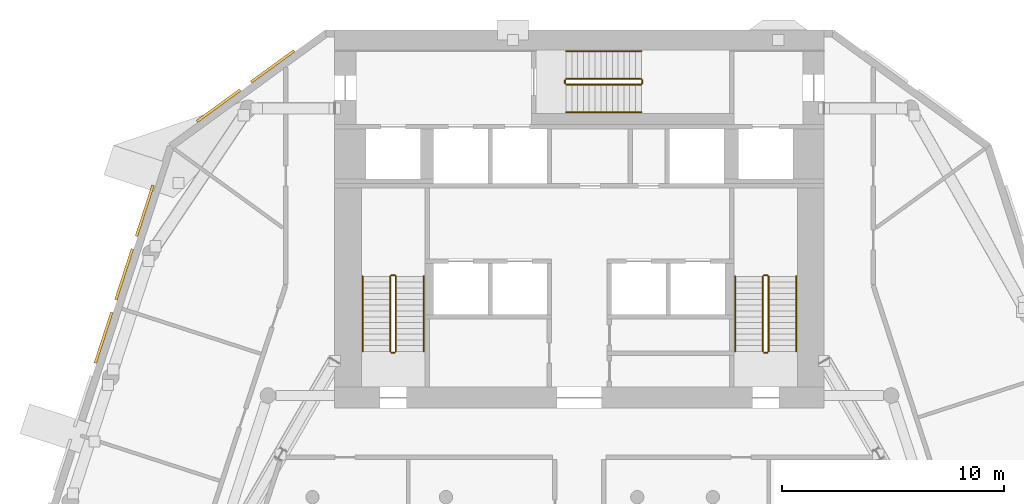
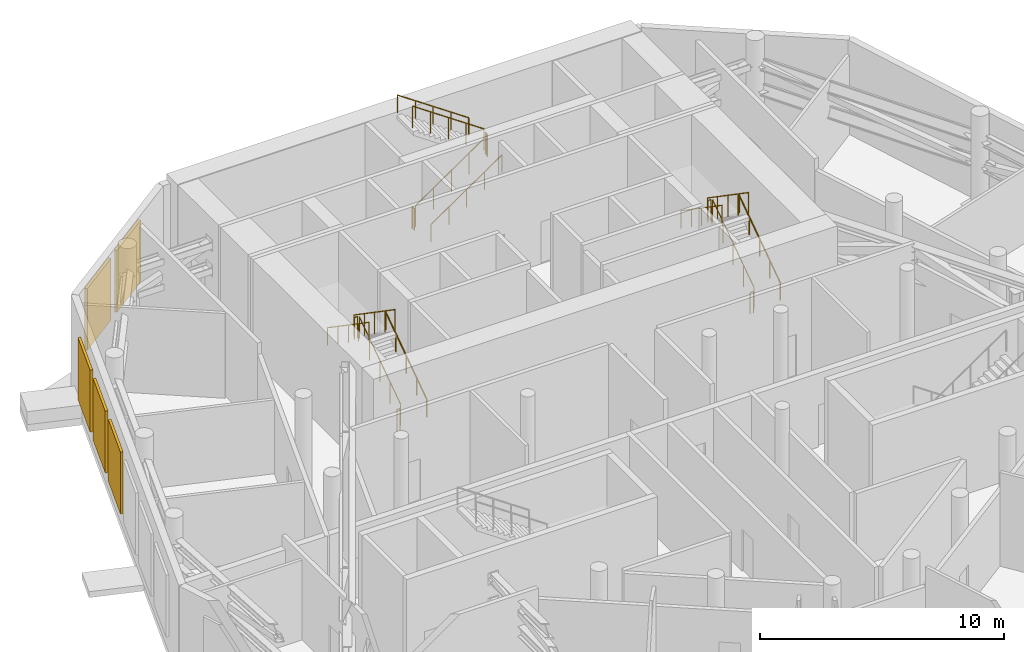
# One storey, part 16 of 17: 18 railings, 5 shading devices.
"""IFC4 building model written with IfcOpenShell, lengths in metres."""

from ifc_helpers import new_model, si_unit, direction, frame, origin, origin_2d, place, context, subcontext, project, spatial, rectangle, circle, extrude, material, type_object, element, save


model = new_model("IFC4")

# Units and contexts
model_context = context("Model", 3, precision=1e-05, world=origin(), true_north=direction((0.0, 1.0)))
body_context = subcontext(model_context, "Body", "Model", "MODEL_VIEW")
ifc_project = project(units=[si_unit("LENGTHUNIT", "METRE"), si_unit("AREAUNIT", "SQUARE_METRE"), si_unit("VOLUMEUNIT", "CUBIC_METRE"), si_unit("PLANEANGLEUNIT", "RADIAN"), si_unit("MASSUNIT", "GRAM", prefix="KILO")], contexts=[model_context])

# Site, building, storey
site_placement = place(None, origin())
site = spatial("IfcSite", under=ifc_project, at=site_placement, CompositionType="ELEMENT")
building_placement = place(site_placement, origin())
building = spatial("IfcBuilding", under=site, at=building_placement, Name="White Candle Pilgrim Tower", CompositionType="ELEMENT")
storey_placement = place(building_placement, frame((0.0, 0.0, 191.5)))
storey = spatial("IfcBuildingStorey", under=building, at=storey_placement, Name="L44", CompositionType="ELEMENT", Elevation=191.5)

# Shading devices
ifc_material_1 = material(Name="Aluminium", Category="aluminium")
shading_device_type = type_object("IfcShadingDeviceType", Name="Plant louvre LV2 2400x3100 aluminium framed", PredefinedType="USERDEFINED", material=ifc_material_1)
for number, where, z_axis, x_axis, name in (
    (1, (56.207763671875, 86.363037109375, 0.800048828125), (0.0, 0.0, 1.0), (-0.809016977725, -0.587785275209, 0.0), "Plant louvre L44 NW chamfer 1"),
    (2, (53.78076171875, 84.599609375, 0.800048828125), (0.0, 0.0, 1.0), (-0.809016977725, -0.587785275209, 0.0), "Plant louvre L44 NW chamfer 2"),
    (3, (50.460205078125, 79.87158203125, 0.800048828125), (0.0, 0.0, 1.0), (-0.309017016385, -0.951056509144, 0.0), "Plant louvre L44 WNW 1"),
    (4, (49.533203125, 77.0185546875, 0.800048828125), (0.0, 0.0, 1.0), (-0.309017016385, -0.951056509144, 0.0), "Plant louvre L44 WNW 2"),
    (5, (48.60595703125, 74.165283203125, 0.800048828125), (0.0, 0.0, 1.0), (-0.309017016385, -0.951056509144, 0.0), "Plant louvre L44 WNW 3"),
):
    element("IfcShadingDevice", number, at=place(storey_placement, frame(where, z_axis=z_axis, x_axis=x_axis)), inside=storey, type_object=shading_device_type, Name=name, ObjectType="LOUVRE", PredefinedType="USERDEFINED", context=body_context, shape_type="SweptSolid", body=[
        extrude(rectangle(XDim=2.39990234375, YDim=0.1201171875, at=origin_2d()), origin(), (0.0, 0.0, 1.0), 3.10009765625),
    ])

# Railings
ifc_material_2 = material(Name="Stainless steel", Category="steel")
railing_type_1 = type_object("IfcRailingType", Name="Stair guard stainless steel 1100 mm", PredefinedType="GUARDRAIL", material=ifc_material_2)
railing_1_placement = place(storey_placement, frame((61.75, 73.550048828125, 0.178466796875)))
element("IfcRailing", 6, at=railing_1_placement, inside=storey, type_object=railing_type_1, Name="L44 ST1 stair guard 1", PredefinedType="GUARDRAIL", context=body_context, shape_type="SweptSolid", body=[
    extrude(circle(Radius=0.02392578125, at=origin_2d()), frame((0.0, 0.0, 1.076171875), z_axis=(0.0, 0.824285065979, 0.566174999451), x_axis=(-1.0, 0.0, 0.0)), (0.0, 0.0, 1.0), 4.100341796875),
    extrude(circle(Radius=0.02099609375, at=origin_2d()), origin(), (0.0, 0.0, 1.0), 1.052001953125),
    extrude(circle(Radius=0.02099609375, at=origin_2d()), frame((0.0, 0.844970703125, 0.580322265625)), (0.0, 0.0, 1.0), 1.052001953125),
    extrude(circle(Radius=0.02099609375, at=origin_2d()), frame((0.0, 1.68994140625, 1.16064453125)), (0.0, 0.0, 1.0), 1.052001953125),
    extrude(circle(Radius=0.02099609375, at=origin_2d()), frame((0.0, 2.534912109375, 1.7412109375)), (0.0, 0.0, 1.0), 1.052001953125),
    extrude(circle(Radius=0.02099609375, at=origin_2d()), frame((0.0, 3.3798828125, 2.321533203125)), (0.0, 0.0, 1.0), 1.052001953125),
])
railing_2_placement = place(storey_placement, frame((61.699951171875, 76.97998046875, 2.5)))
element("IfcRailing", 7, at=railing_2_placement, inside=storey, type_object=railing_type_1, Name="L44 ST1 stair guard 2", PredefinedType="GUARDRAIL", context=body_context, shape_type="SweptSolid", body=[
    extrude(circle(Radius=0.02392578125, at=origin_2d()), frame((0.0, 0.0, 1.076171875), z_axis=(-1.0, 0.0, 0.0), x_axis=(0.0, -1.0, 0.0)), (0.0, 0.0, 1.0), 0.14990234375),
    extrude(circle(Radius=0.02099609375, at=origin_2d()), origin(), (0.0, 0.0, 1.0), 1.052001953125),
    extrude(circle(Radius=0.02099609375, at=origin_2d()), frame((-0.14990234375, 0.0, 0.0)), (0.0, 0.0, 1.0), 1.052001953125),
])
railing_3_placement = place(storey_placement, frame((61.5, 76.929931640625, 2.678466796875)))
element("IfcRailing", 8, at=railing_3_placement, inside=storey, type_object=railing_type_1, Name="L44 ST1 stair guard 3", PredefinedType="GUARDRAIL", context=body_context, shape_type="SweptSolid", body=[
    extrude(circle(Radius=0.02392578125, at=origin_2d()), frame((0.0, 0.0, 1.076171875), z_axis=(0.0, -0.824285065979, 0.566174999451), x_axis=(1.0, 0.0, 0.0)), (0.0, 0.0, 1.0), 4.100341796875),
    extrude(circle(Radius=0.02099609375, at=origin_2d()), origin(), (0.0, 0.0, 1.0), 1.052001953125),
    extrude(circle(Radius=0.02099609375, at=origin_2d()), frame((0.0, -0.844970703125, 0.580322265625)), (0.0, 0.0, 1.0), 1.052001953125),
    extrude(circle(Radius=0.02099609375, at=origin_2d()), frame((0.0, -1.68994140625, 1.16064453125)), (0.0, 0.0, 1.0), 1.052001953125),
    extrude(circle(Radius=0.02099609375, at=origin_2d()), frame((0.0, -2.534912109375, 1.7412109375)), (0.0, 0.0, 1.0), 1.052001953125),
    extrude(circle(Radius=0.02099609375, at=origin_2d()), frame((0.0, -3.3798828125, 2.321533203125)), (0.0, 0.0, 1.0), 1.052001953125),
])
railing_4_placement = place(storey_placement, frame((61.699951171875, 73.5, 0.0)))
element("IfcRailing", 9, at=railing_4_placement, inside=storey, type_object=railing_type_1, Name="L44 ST1 stair guard 4", PredefinedType="GUARDRAIL", context=body_context, shape_type="SweptSolid", body=[
    extrude(circle(Radius=0.02392578125, at=origin_2d()), frame((0.0, 0.0, 1.076171875), z_axis=(-1.0, 0.0, 0.0), x_axis=(0.0, -1.0, 0.0)), (0.0, 0.0, 1.0), 0.14990234375),
    extrude(circle(Radius=0.02099609375, at=origin_2d()), origin(), (0.0, 0.0, 1.0), 1.052001953125),
    extrude(circle(Radius=0.02099609375, at=origin_2d()), frame((-0.14990234375, 0.0, 0.0)), (0.0, 0.0, 1.0), 1.052001953125),
])
railing_5_placement = place(storey_placement, frame((78.5, 73.550048828125, 0.178466796875)))
element("IfcRailing", 10, at=railing_5_placement, inside=storey, type_object=railing_type_1, Name="L44 ST2 stair guard 1", PredefinedType="GUARDRAIL", context=body_context, shape_type="SweptSolid", body=[
    extrude(circle(Radius=0.02392578125, at=origin_2d()), frame((0.0, 0.0, 1.076171875), z_axis=(0.0, 0.824285065979, 0.566174999451), x_axis=(-1.0, 0.0, 0.0)), (0.0, 0.0, 1.0), 4.100341796875),
    extrude(circle(Radius=0.02099609375, at=origin_2d()), origin(), (0.0, 0.0, 1.0), 1.052001953125),
    extrude(circle(Radius=0.02099609375, at=origin_2d()), frame((0.0, 0.844970703125, 0.580322265625)), (0.0, 0.0, 1.0), 1.052001953125),
    extrude(circle(Radius=0.02099609375, at=origin_2d()), frame((0.0, 1.68994140625, 1.16064453125)), (0.0, 0.0, 1.0), 1.052001953125),
    extrude(circle(Radius=0.02099609375, at=origin_2d()), frame((0.0, 2.534912109375, 1.7412109375)), (0.0, 0.0, 1.0), 1.052001953125),
    extrude(circle(Radius=0.02099609375, at=origin_2d()), frame((0.0, 3.3798828125, 2.321533203125)), (0.0, 0.0, 1.0), 1.052001953125),
])
railing_6_placement = place(storey_placement, frame((78.449951171875, 76.97998046875, 2.5)))
element("IfcRailing", 11, at=railing_6_placement, inside=storey, type_object=railing_type_1, Name="L44 ST2 stair guard 2", PredefinedType="GUARDRAIL", context=body_context, shape_type="SweptSolid", body=[
    extrude(circle(Radius=0.02392578125, at=origin_2d()), frame((0.0, 0.0, 1.076171875), z_axis=(-1.0, 0.0, 0.0), x_axis=(0.0, -1.0, 0.0)), (0.0, 0.0, 1.0), 0.14990234375),
    extrude(circle(Radius=0.02099609375, at=origin_2d()), origin(), (0.0, 0.0, 1.0), 1.052001953125),
    extrude(circle(Radius=0.02099609375, at=origin_2d()), frame((-0.14990234375, 0.0, 0.0)), (0.0, 0.0, 1.0), 1.052001953125),
])
railing_7_placement = place(storey_placement, frame((78.25, 76.929931640625, 2.678466796875)))
element("IfcRailing", 12, at=railing_7_placement, inside=storey, type_object=railing_type_1, Name="L44 ST2 stair guard 3", PredefinedType="GUARDRAIL", context=body_context, shape_type="SweptSolid", body=[
    extrude(circle(Radius=0.02392578125, at=origin_2d()), frame((0.0, 0.0, 1.076171875), z_axis=(0.0, -0.824285065979, 0.566174999451), x_axis=(1.0, 0.0, 0.0)), (0.0, 0.0, 1.0), 4.100341796875),
    extrude(circle(Radius=0.02099609375, at=origin_2d()), origin(), (0.0, 0.0, 1.0), 1.052001953125),
    extrude(circle(Radius=0.02099609375, at=origin_2d()), frame((0.0, -0.844970703125, 0.580322265625)), (0.0, 0.0, 1.0), 1.052001953125),
    extrude(circle(Radius=0.02099609375, at=origin_2d()), frame((0.0, -1.68994140625, 1.16064453125)), (0.0, 0.0, 1.0), 1.052001953125),
    extrude(circle(Radius=0.02099609375, at=origin_2d()), frame((0.0, -2.534912109375, 1.7412109375)), (0.0, 0.0, 1.0), 1.052001953125),
    extrude(circle(Radius=0.02099609375, at=origin_2d()), frame((0.0, -3.3798828125, 2.321533203125)), (0.0, 0.0, 1.0), 1.052001953125),
])
railing_8_placement = place(storey_placement, frame((78.449951171875, 73.5, 0.0)))
element("IfcRailing", 13, at=railing_8_placement, inside=storey, type_object=railing_type_1, Name="L44 ST2 stair guard 4", PredefinedType="GUARDRAIL", context=body_context, shape_type="SweptSolid", body=[
    extrude(circle(Radius=0.02392578125, at=origin_2d()), frame((0.0, 0.0, 1.076171875), z_axis=(-1.0, 0.0, 0.0), x_axis=(0.0, -1.0, 0.0)), (0.0, 0.0, 1.0), 0.14990234375),
    extrude(circle(Radius=0.02099609375, at=origin_2d()), origin(), (0.0, 0.0, 1.0), 1.052001953125),
    extrude(circle(Radius=0.02099609375, at=origin_2d()), frame((-0.14990234375, 0.0, 0.0)), (0.0, 0.0, 1.0), 1.052001953125),
])
railing_9_placement = place(storey_placement, frame((69.39990234375, 85.550048828125, 0.178466796875)))
element("IfcRailing", 14, at=railing_9_placement, inside=storey, type_object=railing_type_1, Name="L44 ST3 stair guard 1", PredefinedType="GUARDRAIL", context=body_context, shape_type="SweptSolid", body=[
    extrude(circle(Radius=0.02392578125, at=origin_2d()), frame((0.0, 0.0, 1.076171875), z_axis=(0.824304150675, 0.0, 0.566147213346), x_axis=(0.0, 1.0, 0.0)), (0.0, 0.0, 1.0), 4.1005859375),
    extrude(circle(Radius=0.02099609375, at=origin_2d()), origin(), (0.0, 0.0, 1.0), 1.052001953125),
    extrude(circle(Radius=0.02099609375, at=origin_2d()), frame((0.844970703125, 0.0, 0.580322265625)), (0.0, 0.0, 1.0), 1.052001953125),
    extrude(circle(Radius=0.02099609375, at=origin_2d()), frame((1.68994140625, 0.0, 1.16064453125)), (0.0, 0.0, 1.0), 1.052001953125),
    extrude(circle(Radius=0.02099609375, at=origin_2d()), frame((2.53515625, 0.0, 1.7412109375)), (0.0, 0.0, 1.0), 1.052001953125),
    extrude(circle(Radius=0.02099609375, at=origin_2d()), frame((3.380126953125, 0.0, 2.321533203125)), (0.0, 0.0, 1.0), 1.052001953125),
])
railing_10_placement = place(storey_placement, frame((72.830078125, 85.60009765625, 2.5)))
element("IfcRailing", 15, at=railing_10_placement, inside=storey, type_object=railing_type_1, Name="L44 ST3 stair guard 2", PredefinedType="GUARDRAIL", context=body_context, shape_type="SweptSolid", body=[
    extrude(circle(Radius=0.02392578125, at=origin_2d()), frame((0.0, 0.0, 1.076171875), z_axis=(0.0, 1.0, 0.0), x_axis=(-1.0, 0.0, 0.0)), (0.0, 0.0, 1.0), 0.14990234375),
    extrude(circle(Radius=0.02099609375, at=origin_2d()), origin(), (0.0, 0.0, 1.0), 1.052001953125),
    extrude(circle(Radius=0.02099609375, at=origin_2d()), frame((0.0, 0.14990234375, 0.0)), (0.0, 0.0, 1.0), 1.052001953125),
])
railing_11_placement = place(storey_placement, frame((72.780029296875, 85.800048828125, 2.678466796875)))
element("IfcRailing", 16, at=railing_11_placement, inside=storey, type_object=railing_type_1, Name="L44 ST3 stair guard 3", PredefinedType="GUARDRAIL", context=body_context, shape_type="SweptSolid", body=[
    extrude(circle(Radius=0.02392578125, at=origin_2d()), frame((0.0, 0.0, 1.076171875), z_axis=(-0.824304150675, 0.0, 0.566147213346), x_axis=(0.0, -1.0, 0.0)), (0.0, 0.0, 1.0), 4.1005859375),
    extrude(circle(Radius=0.02099609375, at=origin_2d()), origin(), (0.0, 0.0, 1.0), 1.052001953125),
    extrude(circle(Radius=0.02099609375, at=origin_2d()), frame((-0.844970703125, 0.0, 0.580322265625)), (0.0, 0.0, 1.0), 1.052001953125),
    extrude(circle(Radius=0.02099609375, at=origin_2d()), frame((-1.68994140625, 0.0, 1.16064453125)), (0.0, 0.0, 1.0), 1.052001953125),
    extrude(circle(Radius=0.02099609375, at=origin_2d()), frame((-2.53515625, 0.0, 1.7412109375)), (0.0, 0.0, 1.0), 1.052001953125),
    extrude(circle(Radius=0.02099609375, at=origin_2d()), frame((-3.380126953125, 0.0, 2.321533203125)), (0.0, 0.0, 1.0), 1.052001953125),
])
railing_12_placement = place(storey_placement, frame((69.35009765625, 85.60009765625, 0.0)))
element("IfcRailing", 17, at=railing_12_placement, inside=storey, type_object=railing_type_1, Name="L44 ST3 stair guard 4", PredefinedType="GUARDRAIL", context=body_context, shape_type="SweptSolid", body=[
    extrude(circle(Radius=0.02392578125, at=origin_2d()), frame((0.0, 0.0, 1.076171875), z_axis=(0.0, 1.0, 0.0), x_axis=(-1.0, 0.0, 0.0)), (0.0, 0.0, 1.0), 0.14990234375),
    extrude(circle(Radius=0.02099609375, at=origin_2d()), origin(), (0.0, 0.0, 1.0), 1.052001953125),
    extrude(circle(Radius=0.02099609375, at=origin_2d()), frame((0.0, 0.14990234375, 0.0)), (0.0, 0.0, 1.0), 1.052001953125),
])
railing_type_2 = type_object("IfcRailingType", Name="Stair handrail stainless steel", PredefinedType="HANDRAIL", material=ifc_material_2)
railing_13_placement = place(storey_placement, frame((63.0, 73.550048828125, 0.178466796875)))
element("IfcRailing", 18, at=railing_13_placement, inside=storey, type_object=railing_type_2, Name="L44 ST1 stair handrail 1", PredefinedType="HANDRAIL", context=body_context, shape_type="SweptSolid", body=[
    extrude(circle(Radius=0.02392578125, at=origin_2d()), frame((0.0, 0.0, 0.8759765625), z_axis=(0.0, 0.824285065979, 0.566174999451), x_axis=(-1.0, 0.0, 0.0)), (0.0, 0.0, 1.0), 4.100341796875),
    extrude(circle(Radius=0.02099609375, at=origin_2d()), origin(), (0.0, 0.0, 1.0), 0.851806640625),
    extrude(circle(Radius=0.02099609375, at=origin_2d()), frame((0.0, 0.844970703125, 0.580322265625)), (0.0, 0.0, 1.0), 0.851806640625),
    extrude(circle(Radius=0.02099609375, at=origin_2d()), frame((0.0, 1.68994140625, 1.16064453125)), (0.0, 0.0, 1.0), 0.851806640625),
    extrude(circle(Radius=0.02099609375, at=origin_2d()), frame((0.0, 2.534912109375, 1.7412109375)), (0.0, 0.0, 1.0), 0.851806640625),
    extrude(circle(Radius=0.02099609375, at=origin_2d()), frame((0.0, 3.3798828125, 2.321533203125)), (0.0, 0.0, 1.0), 0.851806640625),
])
railing_14_placement = place(storey_placement, frame((60.25, 76.929931640625, 2.678466796875)))
element("IfcRailing", 19, at=railing_14_placement, inside=storey, type_object=railing_type_2, Name="L44 ST1 stair handrail 2", PredefinedType="HANDRAIL", context=body_context, shape_type="SweptSolid", body=[
    extrude(circle(Radius=0.02392578125, at=origin_2d()), frame((0.0, 0.0, 0.8759765625), z_axis=(0.0, -0.824285065979, 0.566174999451), x_axis=(1.0, 0.0, 0.0)), (0.0, 0.0, 1.0), 4.100341796875),
    extrude(circle(Radius=0.02099609375, at=origin_2d()), origin(), (0.0, 0.0, 1.0), 0.851806640625),
    extrude(circle(Radius=0.02099609375, at=origin_2d()), frame((0.0, -0.844970703125, 0.580322265625)), (0.0, 0.0, 1.0), 0.851806640625),
    extrude(circle(Radius=0.02099609375, at=origin_2d()), frame((0.0, -1.68994140625, 1.16064453125)), (0.0, 0.0, 1.0), 0.851806640625),
    extrude(circle(Radius=0.02099609375, at=origin_2d()), frame((0.0, -2.534912109375, 1.7412109375)), (0.0, 0.0, 1.0), 0.851806640625),
    extrude(circle(Radius=0.02099609375, at=origin_2d()), frame((0.0, -3.3798828125, 2.321533203125)), (0.0, 0.0, 1.0), 0.851806640625),
])
railing_15_placement = place(storey_placement, frame((79.75, 73.550048828125, 0.178466796875)))
element("IfcRailing", 20, at=railing_15_placement, inside=storey, type_object=railing_type_2, Name="L44 ST2 stair handrail 1", PredefinedType="HANDRAIL", context=body_context, shape_type="SweptSolid", body=[
    extrude(circle(Radius=0.02392578125, at=origin_2d()), frame((0.0, 0.0, 0.8759765625), z_axis=(0.0, 0.824285065979, 0.566174999451), x_axis=(-1.0, 0.0, 0.0)), (0.0, 0.0, 1.0), 4.100341796875),
    extrude(circle(Radius=0.02099609375, at=origin_2d()), origin(), (0.0, 0.0, 1.0), 0.851806640625),
    extrude(circle(Radius=0.02099609375, at=origin_2d()), frame((0.0, 0.844970703125, 0.580322265625)), (0.0, 0.0, 1.0), 0.851806640625),
    extrude(circle(Radius=0.02099609375, at=origin_2d()), frame((0.0, 1.68994140625, 1.16064453125)), (0.0, 0.0, 1.0), 0.851806640625),
    extrude(circle(Radius=0.02099609375, at=origin_2d()), frame((0.0, 2.534912109375, 1.7412109375)), (0.0, 0.0, 1.0), 0.851806640625),
    extrude(circle(Radius=0.02099609375, at=origin_2d()), frame((0.0, 3.3798828125, 2.321533203125)), (0.0, 0.0, 1.0), 0.851806640625),
])
railing_16_placement = place(storey_placement, frame((77.0, 76.929931640625, 2.678466796875)))
element("IfcRailing", 21, at=railing_16_placement, inside=storey, type_object=railing_type_2, Name="L44 ST2 stair handrail 2", PredefinedType="HANDRAIL", context=body_context, shape_type="SweptSolid", body=[
    extrude(circle(Radius=0.02392578125, at=origin_2d()), frame((0.0, 0.0, 0.8759765625), z_axis=(0.0, -0.824285065979, 0.566174999451), x_axis=(1.0, 0.0, 0.0)), (0.0, 0.0, 1.0), 4.100341796875),
    extrude(circle(Radius=0.02099609375, at=origin_2d()), origin(), (0.0, 0.0, 1.0), 0.851806640625),
    extrude(circle(Radius=0.02099609375, at=origin_2d()), frame((0.0, -0.844970703125, 0.580322265625)), (0.0, 0.0, 1.0), 0.851806640625),
    extrude(circle(Radius=0.02099609375, at=origin_2d()), frame((0.0, -1.68994140625, 1.16064453125)), (0.0, 0.0, 1.0), 0.851806640625),
    extrude(circle(Radius=0.02099609375, at=origin_2d()), frame((0.0, -2.534912109375, 1.7412109375)), (0.0, 0.0, 1.0), 0.851806640625),
    extrude(circle(Radius=0.02099609375, at=origin_2d()), frame((0.0, -3.3798828125, 2.321533203125)), (0.0, 0.0, 1.0), 0.851806640625),
])
railing_17_placement = place(storey_placement, frame((69.39990234375, 84.300048828125, 0.178466796875)))
element("IfcRailing", 22, at=railing_17_placement, inside=storey, type_object=railing_type_2, Name="L44 ST3 stair handrail 1", PredefinedType="HANDRAIL", context=body_context, shape_type="SweptSolid", body=[
    extrude(circle(Radius=0.02392578125, at=origin_2d()), frame((0.0, 0.0, 0.8759765625), z_axis=(0.824304150675, 0.0, 0.566147213346), x_axis=(0.0, 1.0, 0.0)), (0.0, 0.0, 1.0), 4.1005859375),
    extrude(circle(Radius=0.02099609375, at=origin_2d()), origin(), (0.0, 0.0, 1.0), 0.851806640625),
    extrude(circle(Radius=0.02099609375, at=origin_2d()), frame((0.844970703125, 0.0, 0.580322265625)), (0.0, 0.0, 1.0), 0.851806640625),
    extrude(circle(Radius=0.02099609375, at=origin_2d()), frame((1.68994140625, 0.0, 1.16064453125)), (0.0, 0.0, 1.0), 0.851806640625),
    extrude(circle(Radius=0.02099609375, at=origin_2d()), frame((2.53515625, 0.0, 1.7412109375)), (0.0, 0.0, 1.0), 0.851806640625),
    extrude(circle(Radius=0.02099609375, at=origin_2d()), frame((3.380126953125, 0.0, 2.321533203125)), (0.0, 0.0, 1.0), 0.851806640625),
])
railing_18_placement = place(storey_placement, frame((72.780029296875, 87.050048828125, 2.678466796875)))
element("IfcRailing", 23, at=railing_18_placement, inside=storey, type_object=railing_type_2, Name="L44 ST3 stair handrail 2", PredefinedType="HANDRAIL", context=body_context, shape_type="SweptSolid", body=[
    extrude(circle(Radius=0.02392578125, at=origin_2d()), frame((0.0, 0.0, 0.8759765625), z_axis=(-0.824304150675, 0.0, 0.566147213346), x_axis=(0.0, -1.0, 0.0)), (0.0, 0.0, 1.0), 4.1005859375),
    extrude(circle(Radius=0.02099609375, at=origin_2d()), origin(), (0.0, 0.0, 1.0), 0.851806640625),
    extrude(circle(Radius=0.02099609375, at=origin_2d()), frame((-0.844970703125, 0.0, 0.580322265625)), (0.0, 0.0, 1.0), 0.851806640625),
    extrude(circle(Radius=0.02099609375, at=origin_2d()), frame((-1.68994140625, 0.0, 1.16064453125)), (0.0, 0.0, 1.0), 0.851806640625),
    extrude(circle(Radius=0.02099609375, at=origin_2d()), frame((-2.53515625, 0.0, 1.7412109375)), (0.0, 0.0, 1.0), 0.851806640625),
    extrude(circle(Radius=0.02099609375, at=origin_2d()), frame((-3.380126953125, 0.0, 2.321533203125)), (0.0, 0.0, 1.0), 0.851806640625),
])

save(model, "model.ifc")
